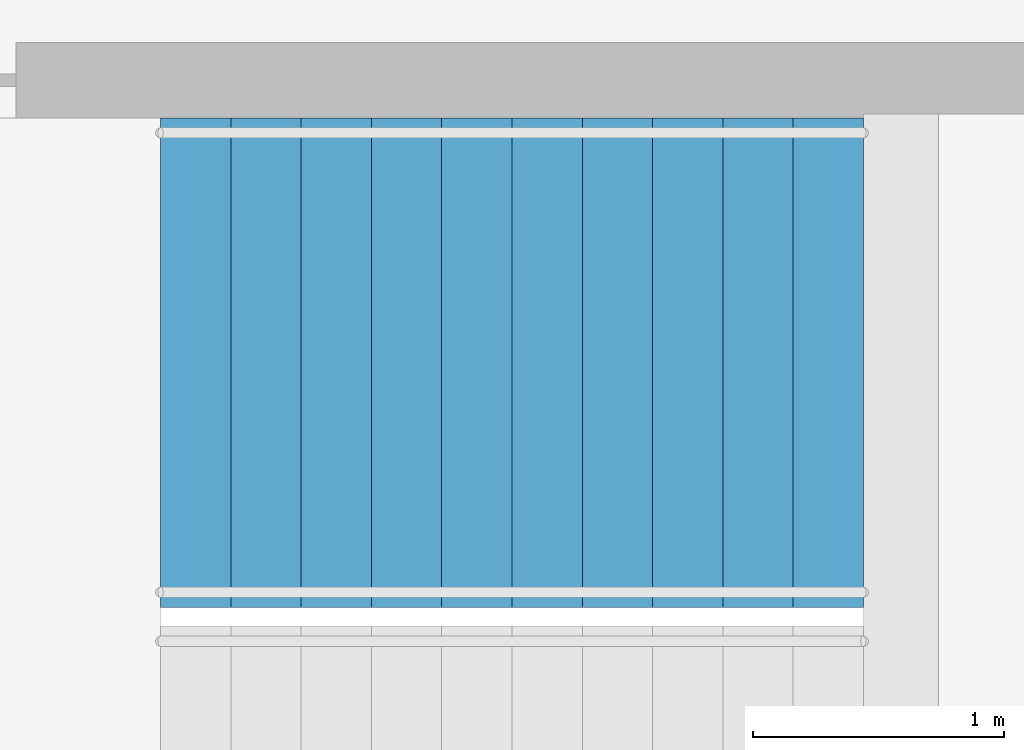
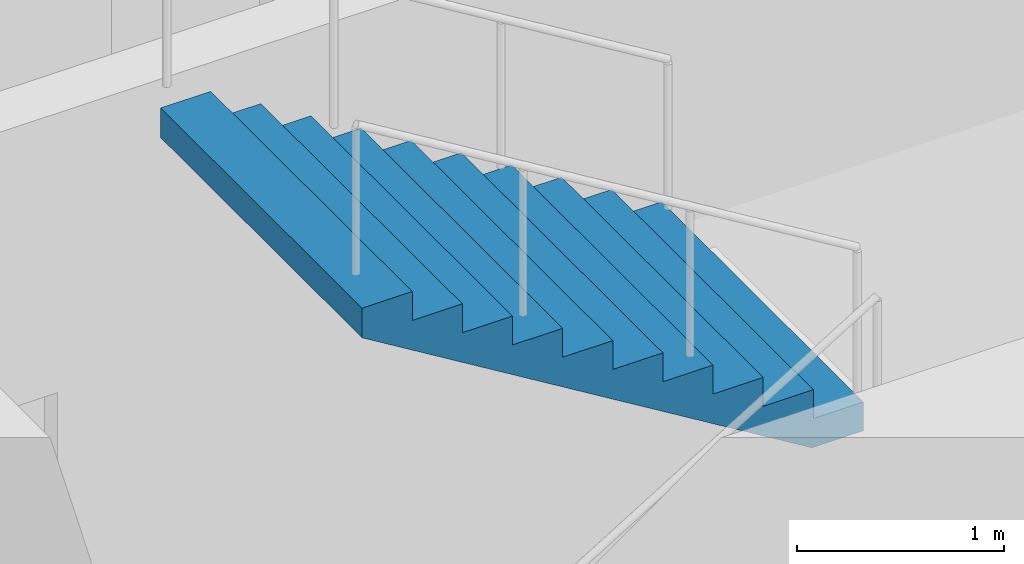
# One storey, part 18 of 21: 1 stair flight, 1 element without a shape of its own.
"""IFC4 building model written with IfcOpenShell, lengths in metres."""

from ifc_helpers import new_model, si_unit, direction, frame, origin, place, context, subcontext, project, spatial, triangles, material, type_object, element, aggregate, save


model = new_model("IFC4")

# Units and contexts
model_context = context("Model", 3, precision=1e-05, world=origin(), true_north=direction((0.0, 1.0)))
body_context = subcontext(model_context, "Body", "Model", "MODEL_VIEW")
ifc_project = project(units=[si_unit("LENGTHUNIT", "METRE"), si_unit("AREAUNIT", "SQUARE_METRE"), si_unit("VOLUMEUNIT", "CUBIC_METRE"), si_unit("PLANEANGLEUNIT", "RADIAN"), si_unit("MASSUNIT", "GRAM", prefix="KILO")], contexts=[model_context])

# Site, building, storey
site_placement = place(None, origin())
site = spatial("IfcSite", under=ifc_project, at=site_placement, CompositionType="ELEMENT")
building_placement = place(site_placement, origin())
building = spatial("IfcBuilding", under=site, at=building_placement, Name="Orbita Commons", CompositionType="ELEMENT")
storey_placement = place(building_placement, frame((0.0, 0.0, 91.89990234375)))
storey = spatial("IfcBuildingStorey", under=building, at=storey_placement, Name="L22", CompositionType="ELEMENT", Elevation=91.89990234375)

# Stair, stair flight
ifc_material_1 = material(Name="Precast concrete C40/50", Category="concrete")
stair_type = type_object("IfcStairType", Name="Exit stair S1 2 flights 11 risers 170", PredefinedType="HALF_TURN_STAIR", material=ifc_material_1)
stair_placement = place(storey_placement, origin())
stair = element("IfcStair", 1, at=stair_placement, inside=storey, type_object=stair_type, Name="Exit stair S1 L22", PredefinedType="HALF_TURN_STAIR")
ifc_material_2 = material(Name="Precast concrete C40/50", Category="concrete")
stair_flight_type = type_object("IfcStairFlightType", Name="Stair flight 11 risers 170 x 280", PredefinedType="STRAIGHT", material=ifc_material_2)
stair_flight_placement = place(storey_placement, frame((23.25, 29.27490234375, 1.875), z_axis=(0.0, 0.0, 1.0), x_axis=(-1.0, 0.0, 0.0)))
stair_flight = element("IfcStairFlight", 2, at=stair_flight_placement, type_object=stair_flight_type, Name="S1 flight 2", NumberOfRisers=11, NumberOfTreads=10, PredefinedType="STRAIGHT", RiserHeight=0.170454545, TreadLength=0.28, context=body_context, shape_type="Tessellation", body=[
    triangles([(0.0, 0.974976, 0.0), (0.0, 0.974976, 0.021307), (0.0, 0.81248, 0.021307), (0.0, 0.81248, 0.0), (0.0, 0.649984, 0.021307), (0.0, 0.649984, 0.0), (0.0, 0.487488, 0.021307), (0.0, 0.487488, 0.0), (0.0, 0.324992, 0.021307), (0.0, 0.324992, 0.0), (0.0, 0.162496, 0.021307), (0.0, 0.162496, 0.0), (0.0, 0.0, 0.021307), (0.0, 0.0, 0.0), (0.0, -0.162496, 0.021307), (0.0, -0.162496, 0.0), (0.0, -0.324992, 0.021307), (0.0, -0.324992, 0.0), (0.0, -0.487488, 0.021307), (0.0, -0.487488, 0.0), (0.0, -0.649984, 0.021307), (0.0, -0.649984, 0.0), (0.0, -0.81248, 0.021307), (0.0, -0.81248, 0.0), (0.0, -0.974976, 0.021307), (0.0, -0.974976, 0.0), (0.0, 0.974976, 0.042614), (0.0, 0.81248, 0.042614), (0.0, 0.649984, 0.042614), (0.0, 0.487488, 0.042614), (0.0, 0.324992, 0.042614), (0.0, 0.162496, 0.042614), (0.0, 0.0, 0.042614), (0.0, -0.162496, 0.042614), (0.0, -0.324992, 0.042614), (0.0, -0.487488, 0.042614), (0.0, -0.649984, 0.042614), (0.0, -0.81248, 0.042614), (0.0, -0.974976, 0.042614), (0.0, 0.974976, 0.06392), (0.0, 0.81248, 0.06392), (0.0, 0.649984, 0.06392), (0.0, 0.487488, 0.06392), (0.0, 0.324992, 0.06392), (0.0, 0.162496, 0.06392), (0.0, 0.0, 0.06392), (0.0, -0.162496, 0.06392), (0.0, -0.324992, 0.06392), (0.0, -0.487488, 0.06392), (0.0, -0.649984, 0.06392), (0.0, -0.81248, 0.06392), (0.0, -0.974976, 0.06392), (0.0, 0.974976, 0.085227), (0.0, 0.81248, 0.085227), (0.0, 0.649984, 0.085227), (0.0, 0.487488, 0.085227), (0.0, 0.324992, 0.085227), (0.0, 0.162496, 0.085227), (0.0, 0.0, 0.085227), (0.0, -0.162496, 0.085227), (0.0, -0.324992, 0.085227), (0.0, -0.487488, 0.085227), (0.0, -0.649984, 0.085227), (0.0, -0.81248, 0.085227), (0.0, -0.974976, 0.085227), (0.0, 0.974976, 0.106534), (0.0, 0.81248, 0.106534), (0.0, 0.649984, 0.106534), (0.0, 0.487488, 0.106534), (0.0, 0.324992, 0.106534), (0.0, 0.162496, 0.106534), (0.0, 0.0, 0.106534), (0.0, -0.162496, 0.106534), (0.0, -0.324992, 0.106534), (0.0, -0.487488, 0.106534), (0.0, -0.649984, 0.106534), (0.0, -0.81248, 0.106534), (0.0, -0.974976, 0.106534), (0.0, 0.974976, 0.127841), (0.0, 0.81248, 0.127841), (0.0, 0.649984, 0.127841), (0.0, 0.487488, 0.127841), (0.0, 0.324992, 0.127841), (0.0, 0.162496, 0.127841), (0.0, 0.0, 0.127841), (0.0, -0.162496, 0.127841), (0.0, -0.324992, 0.127841), (0.0, -0.487488, 0.127841), (0.0, -0.649984, 0.127841), (0.0, -0.81248, 0.127841), (0.0, -0.974976, 0.127841), (0.0, 0.974976, 0.149148), (0.0, 0.81248, 0.149148), (0.0, 0.649984, 0.149148), (0.0, 0.487488, 0.149148), (0.0, 0.324992, 0.149148), (0.0, 0.162496, 0.149148), (0.0, 0.0, 0.149148), (0.0, -0.162496, 0.149148), (0.0, -0.324992, 0.149148), (0.0, -0.487488, 0.149148), (0.0, -0.649984, 0.149148), (0.0, -0.81248, 0.149148), (0.0, -0.974976, 0.149148), (0.0, 0.974976, 0.170455), (0.0, 0.81248, 0.170455), (0.0, 0.649984, 0.170455), (0.0, 0.487488, 0.170455), (0.0, 0.324992, 0.170455), (0.0, 0.162496, 0.170455), (0.0, 0.0, 0.170455), (0.0, -0.162496, 0.170455), (0.0, -0.324992, 0.170455), (0.0, -0.487488, 0.170455), (0.0, -0.649984, 0.170455), (0.0, -0.81248, 0.170455), (0.0, -0.974976, 0.170455), (0.28, 0.974976, 0.170455), (0.28, 0.81248, 0.170455), (0.28, 0.649984, 0.170455), (0.28, 0.487488, 0.170455), (0.28, 0.324992, 0.170455), (0.28, 0.162496, 0.170455), (0.28, 0.0, 0.170455), (0.28, -0.162496, 0.170455), (0.28, -0.324992, 0.170455), (0.28, -0.487488, 0.170455), (0.28, -0.649984, 0.170455), (0.28, -0.81248, 0.170455), (0.28, -0.974976, 0.170455), (0.28, 0.974976, 0.340909), (0.28, 0.81248, 0.340909), (0.28, 0.649984, 0.340909), (0.28, 0.487488, 0.340909), (0.28, 0.324992, 0.340909), (0.28, 0.162496, 0.340909), (0.28, 0.0, 0.340909), (0.28, -0.162496, 0.340909), (0.28, -0.324992, 0.340909), (0.28, -0.487488, 0.340909), (0.28, -0.649984, 0.340909), (0.28, -0.81248, 0.340909), (0.28, -0.974976, 0.340909), (0.56, 0.974976, 0.340909), (0.56, 0.81248, 0.340909), (0.56, 0.649984, 0.340909), (0.56, 0.487488, 0.340909), (0.56, 0.324992, 0.340909), (0.56, 0.162496, 0.340909), (0.56, 0.0, 0.340909), (0.56, -0.162496, 0.340909), (0.56, -0.324992, 0.340909), (0.56, -0.487488, 0.340909), (0.56, -0.649984, 0.340909), (0.56, -0.81248, 0.340909), (0.56, -0.974976, 0.340909), (0.56, 0.974976, 0.511364), (0.56, 0.81248, 0.511364), (0.56, 0.649984, 0.511364), (0.56, 0.487488, 0.511364), (0.56, 0.324992, 0.511364), (0.56, 0.162496, 0.511364), (0.56, 0.0, 0.511364), (0.56, -0.162496, 0.511364), (0.56, -0.324992, 0.511364), (0.56, -0.487488, 0.511364), (0.56, -0.649984, 0.511364), (0.56, -0.81248, 0.511364), (0.56, -0.974976, 0.511364), (0.84, 0.974976, 0.511364), (0.84, 0.81248, 0.511364), (0.84, 0.649984, 0.511364), (0.84, 0.487488, 0.511364), (0.84, 0.324992, 0.511364), (0.84, 0.162496, 0.511364), (0.84, 0.0, 0.511364), (0.84, -0.162496, 0.511364), (0.84, -0.324992, 0.511364), (0.84, -0.487488, 0.511364), (0.84, -0.649984, 0.511364), (0.84, -0.81248, 0.511364), (0.84, -0.974976, 0.511364), (0.84, 0.974976, 0.681818), (0.84, 0.81248, 0.681818), (0.84, 0.649984, 0.681818), (0.84, 0.487488, 0.681818), (0.84, 0.324992, 0.681818), (0.84, 0.162496, 0.681818), (0.84, 0.0, 0.681818), (0.84, -0.162496, 0.681818), (0.84, -0.324992, 0.681818), (0.84, -0.487488, 0.681818), (0.84, -0.649984, 0.681818), (0.84, -0.81248, 0.681818), (0.84, -0.974976, 0.681818), (1.12, 0.974976, 0.681818), (1.12, 0.81248, 0.681818), (1.12, 0.649984, 0.681818), (1.12, 0.487488, 0.681818), (1.12, 0.324992, 0.681818), (1.12, 0.162496, 0.681818), (1.12, 0.0, 0.681818), (1.12, -0.162496, 0.681818), (1.12, -0.324992, 0.681818), (1.12, -0.487488, 0.681818), (1.12, -0.649984, 0.681818), (1.12, -0.81248, 0.681818), (1.12, -0.974976, 0.681818), (1.12, 0.974976, 0.852273), (1.12, 0.81248, 0.852273), (1.12, 0.649984, 0.852273), (1.12, 0.487488, 0.852273), (1.12, 0.324992, 0.852273), (1.12, 0.162496, 0.852273), (1.12, 0.0, 0.852273), (1.12, -0.162496, 0.852273), (1.12, -0.324992, 0.852273), (1.12, -0.487488, 0.852273), (1.12, -0.649984, 0.852273), (1.12, -0.81248, 0.852273), (1.12, -0.974976, 0.852273), (1.4, 0.974976, 0.852273), (1.4, 0.81248, 0.852273), (1.4, 0.649984, 0.852273), (1.4, 0.487488, 0.852273), (1.4, 0.324992, 0.852273), (1.4, 0.162496, 0.852273), (1.4, 0.0, 0.852273), (1.4, -0.162496, 0.852273), (1.4, -0.324992, 0.852273), (1.4, -0.487488, 0.852273), (1.4, -0.649984, 0.852273), (1.4, -0.81248, 0.852273), (1.4, -0.974976, 0.852273), (1.4, 0.974976, 1.022727), (1.4, 0.81248, 1.022727), (1.4, 0.649984, 1.022727), (1.4, 0.487488, 1.022727), (1.4, 0.324992, 1.022727), (1.4, 0.162496, 1.022727), (1.4, 0.0, 1.022727), (1.4, -0.162496, 1.022727), (1.4, -0.324992, 1.022727), (1.4, -0.487488, 1.022727), (1.4, -0.649984, 1.022727), (1.4, -0.81248, 1.022727), (1.4, -0.974976, 1.022727), (1.68, 0.974976, 1.022727), (1.68, 0.81248, 1.022727), (1.68, 0.649984, 1.022727), (1.68, 0.487488, 1.022727), (1.68, 0.324992, 1.022727), (1.68, 0.162496, 1.022727), (1.68, 0.0, 1.022727), (1.68, -0.162496, 1.022727), (1.68, -0.324992, 1.022727), (1.68, -0.487488, 1.022727), (1.68, -0.649984, 1.022727), (1.68, -0.81248, 1.022727), (1.68, -0.974976, 1.022727), (1.68, 0.974976, 1.193182), (1.68, 0.81248, 1.193182), (1.68, 0.649984, 1.193182), (1.68, 0.487488, 1.193182), (1.68, 0.324992, 1.193182), (1.68, 0.162496, 1.193182), (1.68, 0.0, 1.193182), (1.68, -0.162496, 1.193182), (1.68, -0.324992, 1.193182), (1.68, -0.487488, 1.193182), (1.68, -0.649984, 1.193182), (1.68, -0.81248, 1.193182), (1.68, -0.974976, 1.193182), (1.96, 0.974976, 1.193182), (1.96, 0.81248, 1.193182), (1.96, 0.649984, 1.193182), (1.96, 0.487488, 1.193182), (1.96, 0.324992, 1.193182), (1.96, 0.162496, 1.193182), (1.96, 0.0, 1.193182), (1.96, -0.162496, 1.193182), (1.96, -0.324992, 1.193182), (1.96, -0.487488, 1.193182), (1.96, -0.649984, 1.193182), (1.96, -0.81248, 1.193182), (1.96, -0.974976, 1.193182), (1.96, 0.974976, 1.363636), (1.96, 0.81248, 1.363636), (1.96, 0.649984, 1.363636), (1.96, 0.487488, 1.363636), (1.96, 0.324992, 1.363636), (1.96, 0.162496, 1.363636), (1.96, 0.0, 1.363636), (1.96, -0.162496, 1.363636), (1.96, -0.324992, 1.363636), (1.96, -0.487488, 1.363636), (1.96, -0.649984, 1.363636), (1.96, -0.81248, 1.363636), (1.96, -0.974976, 1.363636), (2.24, 0.974976, 1.363636), (2.24, 0.81248, 1.363636), (2.24, 0.649984, 1.363636), (2.24, 0.487488, 1.363636), (2.24, 0.324992, 1.363636), (2.24, 0.162496, 1.363636), (2.24, 0.0, 1.363636), (2.24, -0.162496, 1.363636), (2.24, -0.324992, 1.363636), (2.24, -0.487488, 1.363636), (2.24, -0.649984, 1.363636), (2.24, -0.81248, 1.363636), (2.24, -0.974976, 1.363636), (2.24, 0.974976, 1.534091), (2.24, 0.81248, 1.534091), (2.24, 0.649984, 1.534091), (2.24, 0.487488, 1.534091), (2.24, 0.324992, 1.534091), (2.24, 0.162496, 1.534091), (2.24, 0.0, 1.534091), (2.24, -0.162496, 1.534091), (2.24, -0.324992, 1.534091), (2.24, -0.487488, 1.534091), (2.24, -0.649984, 1.534091), (2.24, -0.81248, 1.534091), (2.24, -0.974976, 1.534091), (2.52, 0.974976, 1.534091), (2.52, 0.81248, 1.534091), (2.52, 0.649984, 1.534091), (2.52, 0.487488, 1.534091), (2.52, 0.324992, 1.534091), (2.52, 0.162496, 1.534091), (2.52, 0.0, 1.534091), (2.52, -0.162496, 1.534091), (2.52, -0.324992, 1.534091), (2.52, -0.487488, 1.534091), (2.52, -0.649984, 1.534091), (2.52, -0.81248, 1.534091), (2.52, -0.974976, 1.534091), (2.52, 0.974976, 1.704545), (2.52, 0.81248, 1.704545), (2.52, 0.649984, 1.704545), (2.52, 0.487488, 1.704545), (2.52, 0.324992, 1.704545), (2.52, 0.162496, 1.704545), (2.52, 0.0, 1.704545), (2.52, -0.162496, 1.704545), (2.52, -0.324992, 1.704545), (2.52, -0.487488, 1.704545), (2.52, -0.649984, 1.704545), (2.52, -0.81248, 1.704545), (2.52, -0.974976, 1.704545), (2.8, 0.974976, 1.704545), (2.8, 0.81248, 1.704545), (2.8, 0.649984, 1.704545), (2.8, 0.487488, 1.704545), (2.8, 0.324992, 1.704545), (2.8, 0.162496, 1.704545), (2.8, 0.0, 1.704545), (2.8, -0.162496, 1.704545), (2.8, -0.324992, 1.704545), (2.8, -0.487488, 1.704545), (2.8, -0.649984, 1.704545), (2.8, -0.81248, 1.704545), (2.8, -0.974976, 1.704545), (2.8, 0.974976, 1.682609), (2.8, 0.81248, 1.682609), (2.8, 0.649984, 1.682609), (2.8, 0.487488, 1.682609), (2.8, 0.324992, 1.682609), (2.8, 0.162496, 1.682609), (2.8, 0.0, 1.682609), (2.8, -0.162496, 1.682609), (2.8, -0.324992, 1.682609), (2.8, -0.487488, 1.682609), (2.8, -0.649984, 1.682609), (2.8, -0.81248, 1.682609), (2.8, -0.974976, 1.682609), (2.8, 0.974976, 1.660672), (2.8, 0.81248, 1.660672), (2.8, 0.649984, 1.660672), (2.8, 0.487488, 1.660672), (2.8, 0.324992, 1.660672), (2.8, 0.162496, 1.660672), (2.8, 0.0, 1.660672), (2.8, -0.162496, 1.660672), (2.8, -0.324992, 1.660672), (2.8, -0.487488, 1.660672), (2.8, -0.649984, 1.660672), (2.8, -0.81248, 1.660672), (2.8, -0.974976, 1.660672), (2.8, 0.974976, 1.638735), (2.8, 0.81248, 1.638735), (2.8, 0.649984, 1.638735), (2.8, 0.487488, 1.638735), (2.8, 0.324992, 1.638735), (2.8, 0.162496, 1.638735), (2.8, 0.0, 1.638735), (2.8, -0.162496, 1.638735), (2.8, -0.324992, 1.638735), (2.8, -0.487488, 1.638735), (2.8, -0.649984, 1.638735), (2.8, -0.81248, 1.638735), (2.8, -0.974976, 1.638735), (2.8, 0.974976, 1.616798), (2.8, 0.81248, 1.616798), (2.8, 0.649984, 1.616798), (2.8, 0.487488, 1.616798), (2.8, 0.324992, 1.616798), (2.8, 0.162496, 1.616798), (2.8, 0.0, 1.616798), (2.8, -0.162496, 1.616798), (2.8, -0.324992, 1.616798), (2.8, -0.487488, 1.616798), (2.8, -0.649984, 1.616798), (2.8, -0.81248, 1.616798), (2.8, -0.974976, 1.616798), (2.8, 0.974976, 1.594861), (2.8, 0.81248, 1.594861), (2.8, 0.649984, 1.594861), (2.8, 0.487488, 1.594861), (2.8, 0.324992, 1.594861), (2.8, 0.162496, 1.594861), (2.8, 0.0, 1.594861), (2.8, -0.162496, 1.594861), (2.8, -0.324992, 1.594861), (2.8, -0.487488, 1.594861), (2.8, -0.649984, 1.594861), (2.8, -0.81248, 1.594861), (2.8, -0.974976, 1.594861), (2.8, 0.974976, 1.572925), (2.8, 0.81248, 1.572925), (2.8, 0.649984, 1.572925), (2.8, 0.487488, 1.572925), (2.8, 0.324992, 1.572925), (2.8, 0.162496, 1.572925), (2.8, 0.0, 1.572925), (2.8, -0.162496, 1.572925), (2.8, -0.324992, 1.572925), (2.8, -0.487488, 1.572925), (2.8, -0.649984, 1.572925), (2.8, -0.81248, 1.572925), (2.8, -0.974976, 1.572925), (2.8, 0.974976, 1.550988), (2.8, 0.81248, 1.550988), (2.8, 0.649984, 1.550988), (2.8, 0.487488, 1.550988), (2.8, 0.324992, 1.550988), (2.8, 0.162496, 1.550988), (2.8, 0.0, 1.550988), (2.8, -0.162496, 1.550988), (2.8, -0.324992, 1.550988), (2.8, -0.487488, 1.550988), (2.8, -0.649984, 1.550988), (2.8, -0.81248, 1.550988), (2.8, -0.974976, 1.550988), (2.8, 0.974976, 1.529051), (2.8, 0.81248, 1.529051), (2.8, 0.649984, 1.529051), (2.8, 0.487488, 1.529051), (2.8, 0.324992, 1.529051), (2.8, 0.162496, 1.529051), (2.8, 0.0, 1.529051), (2.8, -0.162496, 1.529051), (2.8, -0.324992, 1.529051), (2.8, -0.487488, 1.529051), (2.8, -0.649984, 1.529051), (2.8, -0.81248, 1.529051), (2.8, -0.974976, 1.529051), (0.288279, 0.974976, 0.0), (0.288279, 0.81248, 0.0), (0.288279, 0.649984, 0.0), (0.288279, 0.487488, 0.0), (0.288279, 0.324992, 0.0), (0.288279, 0.162496, 0.0), (0.288279, 0.0, 0.0), (0.288279, -0.162496, 0.0), (0.288279, -0.324992, 0.0), (0.288279, -0.487488, 0.0), (0.288279, -0.649984, 0.0), (0.288279, -0.81248, 0.0), (0.288279, -0.974976, 0.0)], [[3, 2, 1], [4, 3, 1], [5, 3, 4], [6, 5, 4], [7, 5, 6], [8, 7, 6], [9, 7, 8], [10, 9, 8], [11, 9, 10], [12, 11, 10], [13, 11, 12], [14, 13, 12], [15, 13, 14], [16, 15, 14], [17, 15, 16], [18, 17, 16], [19, 17, 18], [20, 19, 18], [21, 19, 20], [22, 21, 20], [23, 21, 22], [24, 23, 22], [25, 23, 24], [26, 25, 24], [28, 27, 2], [3, 28, 2], [29, 28, 3], [5, 29, 3], [30, 29, 5], [7, 30, 5], [31, 30, 7], [9, 31, 7], [32, 31, 9], [11, 32, 9], [33, 32, 11], [13, 33, 11], [34, 33, 13], [15, 34, 13], [35, 34, 15], [17, 35, 15], [36, 35, 17], [19, 36, 17], [37, 36, 19], [21, 37, 19], [38, 37, 21], [23, 38, 21], [39, 38, 23], [25, 39, 23], [41, 40, 27], [28, 41, 27], [42, 41, 28], [29, 42, 28], [43, 42, 29], [30, 43, 29], [44, 43, 30], [31, 44, 30], [45, 44, 31], [32, 45, 31], [46, 45, 32], [33, 46, 32], [47, 46, 33], [34, 47, 33], [48, 47, 34], [35, 48, 34], [49, 48, 35], [36, 49, 35], [50, 49, 36], [37, 50, 36], [51, 50, 37], [38, 51, 37], [52, 51, 38], [39, 52, 38], [54, 53, 40], [41, 54, 40], [55, 54, 41], [42, 55, 41], [56, 55, 42], [43, 56, 42], [57, 56, 43], [44, 57, 43], [58, 57, 44], [45, 58, 44], [59, 58, 45], [46, 59, 45], [60, 59, 46], [47, 60, 46], [61, 60, 47], [48, 61, 47], [62, 61, 48], [49, 62, 48], [63, 62, 49], [50, 63, 49], [64, 63, 50], [51, 64, 50], [65, 64, 51], [52, 65, 51], [67, 66, 53], [54, 67, 53], [68, 67, 54], [55, 68, 54], [69, 68, 55], [56, 69, 55], [70, 69, 56], [57, 70, 56], [71, 70, 57], [58, 71, 57], [72, 71, 58], [59, 72, 58], [73, 72, 59], [60, 73, 59], [74, 73, 60], [61, 74, 60], [75, 74, 61], [62, 75, 61], [76, 75, 62], [63, 76, 62], [77, 76, 63], [64, 77, 63], [78, 77, 64], [65, 78, 64], [80, 79, 66], [67, 80, 66], [81, 80, 67], [68, 81, 67], [82, 81, 68], [69, 82, 68], [83, 82, 69], [70, 83, 69], [84, 83, 70], [71, 84, 70], [85, 84, 71], [72, 85, 71], [86, 85, 72], [73, 86, 72], [87, 86, 73], [74, 87, 73], [88, 87, 74], [75, 88, 74], [89, 88, 75], [76, 89, 75], [90, 89, 76], [77, 90, 76], [91, 90, 77], [78, 91, 77], [93, 92, 79], [80, 93, 79], [94, 93, 80], [81, 94, 80], [95, 94, 81], [82, 95, 81], [96, 95, 82], [83, 96, 82], [97, 96, 83], [84, 97, 83], [98, 97, 84], [85, 98, 84], [99, 98, 85], [86, 99, 85], [100, 99, 86], [87, 100, 86], [101, 100, 87], [88, 101, 87], [102, 101, 88], [89, 102, 88], [103, 102, 89], [90, 103, 89], [104, 103, 90], [91, 104, 90], [106, 105, 92], [93, 106, 92], [107, 106, 93], [94, 107, 93], [108, 107, 94], [95, 108, 94], [109, 108, 95], [96, 109, 95], [110, 109, 96], [97, 110, 96], [111, 110, 97], [98, 111, 97], [112, 111, 98], [99, 112, 98], [113, 112, 99], [100, 113, 99], [114, 113, 100], [101, 114, 100], [115, 114, 101], [102, 115, 101], [116, 115, 102], [103, 116, 102], [117, 116, 103], [104, 117, 103], [119, 118, 105], [106, 119, 105], [120, 119, 106], [107, 120, 106], [121, 120, 107], [108, 121, 107], [122, 121, 108], [109, 122, 108], [123, 122, 109], [110, 123, 109], [124, 123, 110], [111, 124, 110], [125, 124, 111], [112, 125, 111], [126, 125, 112], [113, 126, 112], [127, 126, 113], [114, 127, 113], [128, 127, 114], [115, 128, 114], [129, 128, 115], [116, 129, 115], [130, 129, 116], [117, 130, 116], [132, 131, 118], [119, 132, 118], [133, 132, 119], [120, 133, 119], [134, 133, 120], [121, 134, 120], [135, 134, 121], [122, 135, 121], [136, 135, 122], [123, 136, 122], [137, 136, 123], [124, 137, 123], [138, 137, 124], [125, 138, 124], [139, 138, 125], [126, 139, 125], [140, 139, 126], [127, 140, 126], [141, 140, 127], [128, 141, 127], [142, 141, 128], [129, 142, 128], [143, 142, 129], [130, 143, 129], [145, 144, 131], [132, 145, 131], [146, 145, 132], [133, 146, 132], [147, 146, 133], [134, 147, 133], [148, 147, 134], [135, 148, 134], [149, 148, 135], [136, 149, 135], [150, 149, 136], [137, 150, 136], [151, 150, 137], [138, 151, 137], [152, 151, 138], [139, 152, 138], [153, 152, 139], [140, 153, 139], [154, 153, 140], [141, 154, 140], [155, 154, 141], [142, 155, 141], [156, 155, 142], [143, 156, 142], [158, 157, 144], [145, 158, 144], [159, 158, 145], [146, 159, 145], [160, 159, 146], [147, 160, 146], [161, 160, 147], [148, 161, 147], [162, 161, 148], [149, 162, 148], [163, 162, 149], [150, 163, 149], [164, 163, 150], [151, 164, 150], [165, 164, 151], [152, 165, 151], [166, 165, 152], [153, 166, 152], [167, 166, 153], [154, 167, 153], [168, 167, 154], [155, 168, 154], [169, 168, 155], [156, 169, 155], [171, 170, 157], [158, 171, 157], [172, 171, 158], [159, 172, 158], [173, 172, 159], [160, 173, 159], [174, 173, 160], [161, 174, 160], [175, 174, 161], [162, 175, 161], [176, 175, 162], [163, 176, 162], [177, 176, 163], [164, 177, 163], [178, 177, 164], [165, 178, 164], [179, 178, 165], [166, 179, 165], [180, 179, 166], [167, 180, 166], [181, 180, 167], [168, 181, 167], [182, 181, 168], [169, 182, 168], [184, 183, 170], [171, 184, 170], [185, 184, 171], [172, 185, 171], [186, 185, 172], [173, 186, 172], [187, 186, 173], [174, 187, 173], [188, 187, 174], [175, 188, 174], [189, 188, 175], [176, 189, 175], [190, 189, 176], [177, 190, 176], [191, 190, 177], [178, 191, 177], [192, 191, 178], [179, 192, 178], [193, 192, 179], [180, 193, 179], [194, 193, 180], [181, 194, 180], [195, 194, 181], [182, 195, 181], [197, 196, 183], [184, 197, 183], [198, 197, 184], [185, 198, 184], [199, 198, 185], [186, 199, 185], [200, 199, 186], [187, 200, 186], [201, 200, 187], [188, 201, 187], [202, 201, 188], [189, 202, 188], [203, 202, 189], [190, 203, 189], [204, 203, 190], [191, 204, 190], [205, 204, 191], [192, 205, 191], [206, 205, 192], [193, 206, 192], [207, 206, 193], [194, 207, 193], [208, 207, 194], [195, 208, 194], [210, 209, 196], [197, 210, 196], [211, 210, 197], [198, 211, 197], [212, 211, 198], [199, 212, 198], [213, 212, 199], [200, 213, 199], [214, 213, 200], [201, 214, 200], [215, 214, 201], [202, 215, 201], [216, 215, 202], [203, 216, 202], [217, 216, 203], [204, 217, 203], [218, 217, 204], [205, 218, 204], [219, 218, 205], [206, 219, 205], [220, 219, 206], [207, 220, 206], [221, 220, 207], [208, 221, 207], [223, 222, 209], [210, 223, 209], [224, 223, 210], [211, 224, 210], [225, 224, 211], [212, 225, 211], [226, 225, 212], [213, 226, 212], [227, 226, 213], [214, 227, 213], [228, 227, 214], [215, 228, 214], [229, 228, 215], [216, 229, 215], [230, 229, 216], [217, 230, 216], [231, 230, 217], [218, 231, 217], [232, 231, 218], [219, 232, 218], [233, 232, 219], [220, 233, 219], [234, 233, 220], [221, 234, 220], [236, 235, 222], [223, 236, 222], [237, 236, 223], [224, 237, 223], [238, 237, 224], [225, 238, 224], [239, 238, 225], [226, 239, 225], [240, 239, 226], [227, 240, 226], [241, 240, 227], [228, 241, 227], [242, 241, 228], [229, 242, 228], [243, 242, 229], [230, 243, 229], [244, 243, 230], [231, 244, 230], [245, 244, 231], [232, 245, 231], [246, 245, 232], [233, 246, 232], [247, 246, 233], [234, 247, 233], [249, 248, 235], [236, 249, 235], [250, 249, 236], [237, 250, 236], [251, 250, 237], [238, 251, 237], [252, 251, 238], [239, 252, 238], [253, 252, 239], [240, 253, 239], [254, 253, 240], [241, 254, 240], [255, 254, 241], [242, 255, 241], [256, 255, 242], [243, 256, 242], [257, 256, 243], [244, 257, 243], [258, 257, 244], [245, 258, 244], [259, 258, 245], [246, 259, 245], [260, 259, 246], [247, 260, 246], [262, 261, 248], [249, 262, 248], [263, 262, 249], [250, 263, 249], [264, 263, 250], [251, 264, 250], [265, 264, 251], [252, 265, 251], [266, 265, 252], [253, 266, 252], [267, 266, 253], [254, 267, 253], [268, 267, 254], [255, 268, 254], [269, 268, 255], [256, 269, 255], [270, 269, 256], [257, 270, 256], [271, 270, 257], [258, 271, 257], [272, 271, 258], [259, 272, 258], [273, 272, 259], [260, 273, 259], [275, 274, 261], [262, 275, 261], [276, 275, 262], [263, 276, 262], [277, 276, 263], [264, 277, 263], [278, 277, 264], [265, 278, 264], [279, 278, 265], [266, 279, 265], [280, 279, 266], [267, 280, 266], [281, 280, 267], [268, 281, 267], [282, 281, 268], [269, 282, 268], [283, 282, 269], [270, 283, 269], [284, 283, 270], [271, 284, 270], [285, 284, 271], [272, 285, 271], [286, 285, 272], [273, 286, 272], [288, 287, 274], [275, 288, 274], [289, 288, 275], [276, 289, 275], [290, 289, 276], [277, 290, 276], [291, 290, 277], [278, 291, 277], [292, 291, 278], [279, 292, 278], [293, 292, 279], [280, 293, 279], [294, 293, 280], [281, 294, 280], [295, 294, 281], [282, 295, 281], [296, 295, 282], [283, 296, 282], [297, 296, 283], [284, 297, 283], [298, 297, 284], [285, 298, 284], [299, 298, 285], [286, 299, 285], [301, 300, 287], [288, 301, 287], [302, 301, 288], [289, 302, 288], [303, 302, 289], [290, 303, 289], [304, 303, 290], [291, 304, 290], [305, 304, 291], [292, 305, 291], [306, 305, 292], [293, 306, 292], [307, 306, 293], [294, 307, 293], [308, 307, 294], [295, 308, 294], [309, 308, 295], [296, 309, 295], [310, 309, 296], [297, 310, 296], [311, 310, 297], [298, 311, 297], [312, 311, 298], [299, 312, 298], [314, 313, 300], [301, 314, 300], [315, 314, 301], [302, 315, 301], [316, 315, 302], [303, 316, 302], [317, 316, 303], [304, 317, 303], [318, 317, 304], [305, 318, 304], [319, 318, 305], [306, 319, 305], [320, 319, 306], [307, 320, 306], [321, 320, 307], [308, 321, 307], [322, 321, 308], [309, 322, 308], [323, 322, 309], [310, 323, 309], [324, 323, 310], [311, 324, 310], [325, 324, 311], [312, 325, 311], [327, 326, 313], [314, 327, 313], [328, 327, 314], [315, 328, 314], [329, 328, 315], [316, 329, 315], [330, 329, 316], [317, 330, 316], [331, 330, 317], [318, 331, 317], [332, 331, 318], [319, 332, 318], [333, 332, 319], [320, 333, 319], [334, 333, 320], [321, 334, 320], [335, 334, 321], [322, 335, 321], [336, 335, 322], [323, 336, 322], [337, 336, 323], [324, 337, 323], [338, 337, 324], [325, 338, 324], [340, 339, 326], [327, 340, 326], [341, 340, 327], [328, 341, 327], [342, 341, 328], [329, 342, 328], [343, 342, 329], [330, 343, 329], [344, 343, 330], [331, 344, 330], [345, 344, 331], [332, 345, 331], [346, 345, 332], [333, 346, 332], [347, 346, 333], [334, 347, 333], [348, 347, 334], [335, 348, 334], [349, 348, 335], [336, 349, 335], [350, 349, 336], [337, 350, 336], [351, 350, 337], [338, 351, 337], [353, 352, 339], [340, 353, 339], [354, 353, 340], [341, 354, 340], [355, 354, 341], [342, 355, 341], [356, 355, 342], [343, 356, 342], [357, 356, 343], [344, 357, 343], [358, 357, 344], [345, 358, 344], [359, 358, 345], [346, 359, 345], [360, 359, 346], [347, 360, 346], [361, 360, 347], [348, 361, 347], [362, 361, 348], [349, 362, 348], [363, 362, 349], [350, 363, 349], [364, 363, 350], [351, 364, 350], [366, 365, 352], [353, 366, 352], [367, 366, 353], [354, 367, 353], [368, 367, 354], [355, 368, 354], [369, 368, 355], [356, 369, 355], [370, 369, 356], [357, 370, 356], [371, 370, 357], [358, 371, 357], [372, 371, 358], [359, 372, 358], [373, 372, 359], [360, 373, 359], [374, 373, 360], [361, 374, 360], [375, 374, 361], [362, 375, 361], [376, 375, 362], [363, 376, 362], [377, 376, 363], [364, 377, 363], [379, 378, 365], [366, 379, 365], [380, 379, 366], [367, 380, 366], [381, 380, 367], [368, 381, 367], [382, 381, 368], [369, 382, 368], [383, 382, 369], [370, 383, 369], [384, 383, 370], [371, 384, 370], [385, 384, 371], [372, 385, 371], [386, 385, 372], [373, 386, 372], [387, 386, 373], [374, 387, 373], [388, 387, 374], [375, 388, 374], [389, 388, 375], [376, 389, 375], [390, 389, 376], [377, 390, 376], [392, 391, 378], [379, 392, 378], [393, 392, 379], [380, 393, 379], [394, 393, 380], [381, 394, 380], [395, 394, 381], [382, 395, 381], [396, 395, 382], [383, 396, 382], [397, 396, 383], [384, 397, 383], [398, 397, 384], [385, 398, 384], [399, 398, 385], [386, 399, 385], [400, 399, 386], [387, 400, 386], [401, 400, 387], [388, 401, 387], [402, 401, 388], [389, 402, 388], [403, 402, 389], [390, 403, 389], [405, 404, 391], [392, 405, 391], [406, 405, 392], [393, 406, 392], [407, 406, 393], [394, 407, 393], [408, 407, 394], [395, 408, 394], [409, 408, 395], [396, 409, 395], [410, 409, 396], [397, 410, 396], [411, 410, 397], [398, 411, 397], [412, 411, 398], [399, 412, 398], [413, 412, 399], [400, 413, 399], [414, 413, 400], [401, 414, 400], [415, 414, 401], [402, 415, 401], [416, 415, 402], [403, 416, 402], [418, 417, 404], [405, 418, 404], [419, 418, 405], [406, 419, 405], [420, 419, 406], [407, 420, 406], [421, 420, 407], [408, 421, 407], [422, 421, 408], [409, 422, 408], [423, 422, 409], [410, 423, 409], [424, 423, 410], [411, 424, 410], [425, 424, 411], [412, 425, 411], [426, 425, 412], [413, 426, 412], [427, 426, 413], [414, 427, 413], [428, 427, 414], [415, 428, 414], [429, 428, 415], [416, 429, 415], [431, 430, 417], [418, 431, 417], [432, 431, 418], [419, 432, 418], [433, 432, 419], [420, 433, 419], [434, 433, 420], [421, 434, 420], [435, 434, 421], [422, 435, 421], [436, 435, 422], [423, 436, 422], [437, 436, 423], [424, 437, 423], [438, 437, 424], [425, 438, 424], [439, 438, 425], [426, 439, 425], [440, 439, 426], [427, 440, 426], [441, 440, 427], [428, 441, 427], [442, 441, 428], [429, 442, 428], [444, 443, 430], [431, 444, 430], [445, 444, 431], [432, 445, 431], [446, 445, 432], [433, 446, 432], [447, 446, 433], [434, 447, 433], [448, 447, 434], [435, 448, 434], [449, 448, 435], [436, 449, 435], [450, 449, 436], [437, 450, 436], [451, 450, 437], [438, 451, 437], [452, 451, 438], [439, 452, 438], [453, 452, 439], [440, 453, 439], [454, 453, 440], [441, 454, 440], [455, 454, 441], [442, 455, 441], [457, 456, 443], [444, 457, 443], [458, 457, 444], [445, 458, 444], [459, 458, 445], [446, 459, 445], [460, 459, 446], [447, 460, 446], [461, 460, 447], [448, 461, 447], [462, 461, 448], [449, 462, 448], [463, 462, 449], [450, 463, 449], [464, 463, 450], [451, 464, 450], [465, 464, 451], [452, 465, 451], [466, 465, 452], [453, 466, 452], [467, 466, 453], [454, 467, 453], [468, 467, 454], [455, 468, 454], [470, 469, 456], [457, 470, 456], [471, 470, 457], [458, 471, 457], [472, 471, 458], [459, 472, 458], [473, 472, 459], [460, 473, 459], [474, 473, 460], [461, 474, 460], [475, 474, 461], [462, 475, 461], [476, 475, 462], [463, 476, 462], [477, 476, 463], [464, 477, 463], [478, 477, 464], [465, 478, 464], [479, 478, 465], [466, 479, 465], [480, 479, 466], [467, 480, 466], [481, 480, 467], [468, 481, 467], [4, 1, 469], [470, 4, 469], [6, 4, 470], [471, 6, 470], [8, 6, 471], [472, 8, 471], [10, 8, 472], [473, 10, 472], [12, 10, 473], [474, 12, 473], [14, 12, 474], [475, 14, 474], [16, 14, 475], [476, 16, 475], [18, 16, 476], [477, 18, 476], [20, 18, 477], [478, 20, 477], [22, 20, 478], [479, 22, 478], [24, 22, 479], [480, 24, 479], [26, 24, 480], [481, 26, 480], [456, 469, 1], [26, 481, 468], [443, 456, 1], [26, 468, 455], [430, 443, 1], [26, 455, 442], [417, 430, 1], [26, 442, 429], [404, 417, 1], [26, 429, 416], [391, 404, 1], [26, 416, 403], [378, 391, 1], [26, 403, 390], [365, 378, 1], [26, 390, 377], [339, 352, 365], [377, 364, 351], [326, 339, 365], [377, 351, 338], [300, 313, 326], [338, 325, 312], [300, 326, 365], [377, 338, 312], [274, 287, 300], [312, 299, 286], [274, 300, 365], [377, 312, 286], [248, 261, 274], [286, 273, 260], [248, 274, 365], [377, 286, 260], [222, 235, 248], [260, 247, 234], [222, 248, 365], [377, 260, 234], [196, 209, 222], [234, 221, 208], [196, 222, 365], [377, 234, 208], [170, 183, 196], [208, 195, 182], [170, 196, 365], [377, 208, 182], [144, 157, 170], [182, 169, 156], [144, 170, 365], [377, 182, 156], [118, 131, 144], [156, 143, 130], [118, 144, 365], [377, 156, 130], [118, 365, 1], [26, 377, 130], [92, 105, 118], [130, 117, 104], [79, 92, 118], [130, 104, 91], [66, 79, 118], [130, 91, 78], [53, 66, 118], [130, 78, 65], [40, 53, 118], [130, 65, 52], [27, 40, 118], [130, 52, 39], [2, 27, 118], [130, 39, 25], [1, 2, 118], [130, 25, 26]], closed=True),
])
aggregate(stair, [stair_flight])

save(model, "model.ifc")
